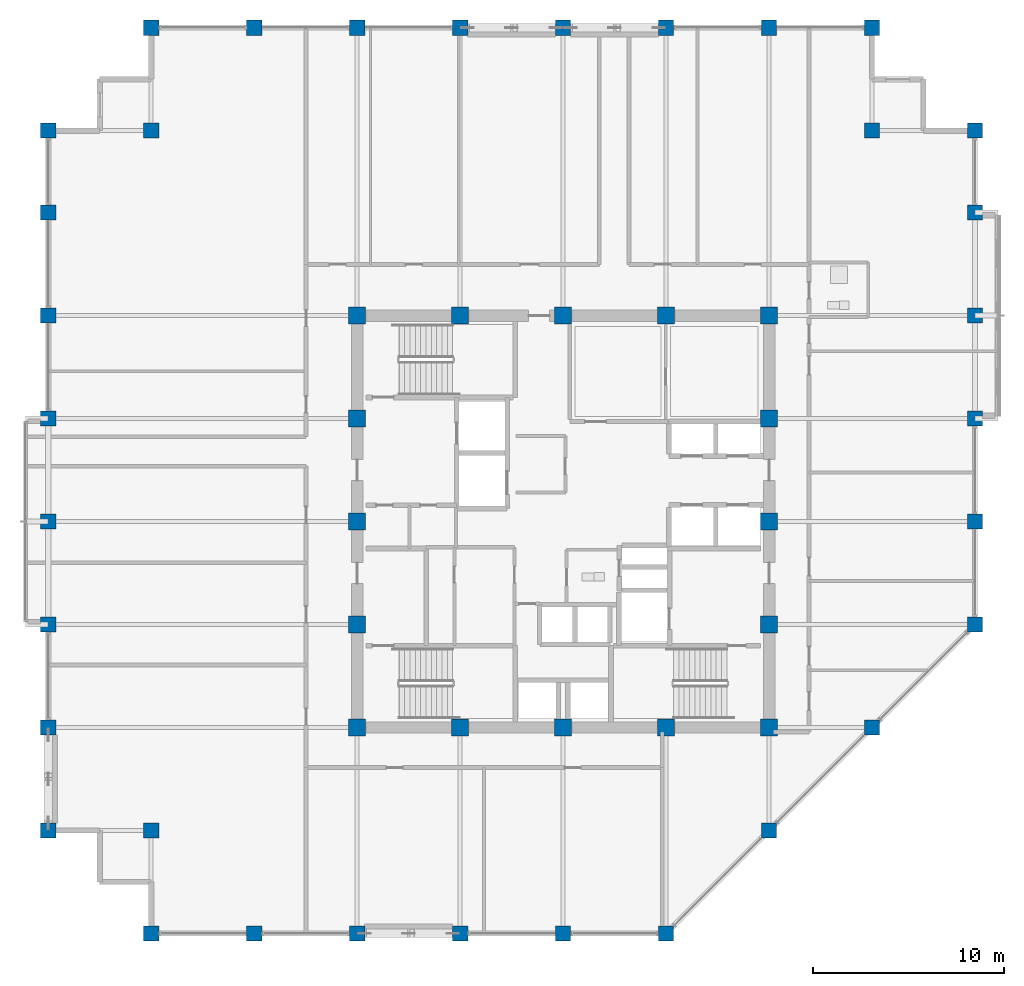
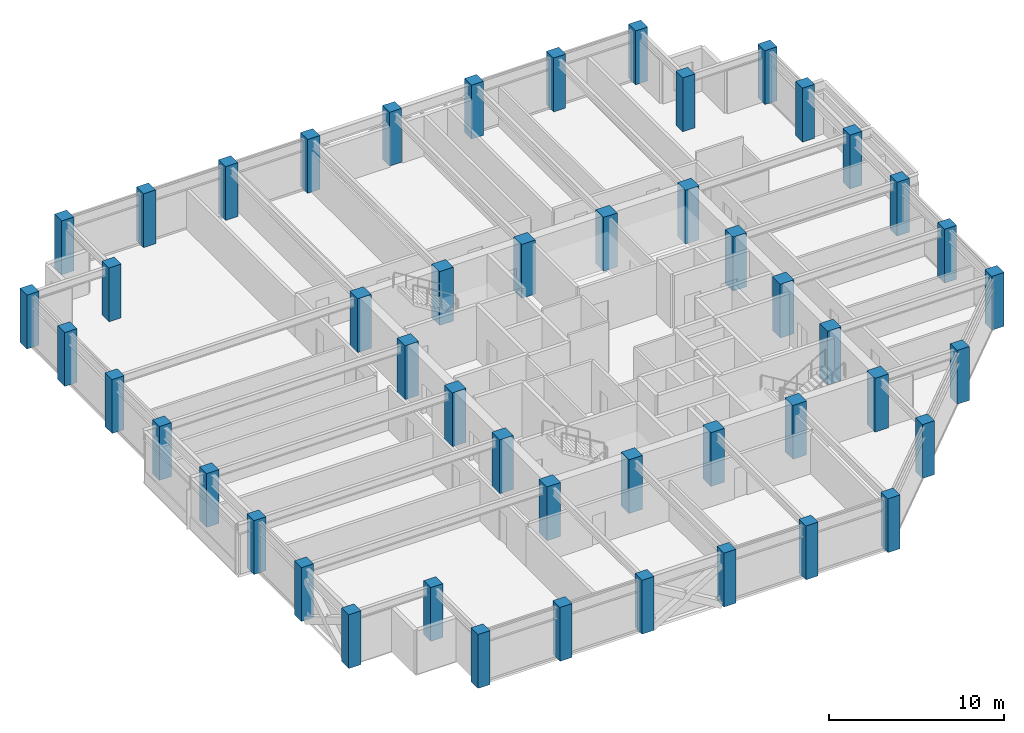
# One storey, part 1 of 32: 49 columns.
"""IFC4 building model written with IfcOpenShell, lengths in metres."""

from ifc_helpers import new_model, si_unit, direction, frame, origin, origin_2d, place, context, subcontext, project, spatial, rectangle, extrude, material, material_profile, profile_set, type_object, element, save


model = new_model("IFC4")

# Units and contexts
model_context = context("Model", 3, precision=1e-05, world=origin(), true_north=direction((0.0, 1.0)))
body_context = subcontext(model_context, "Body", "Model", "MODEL_VIEW")
ifc_project = project(units=[si_unit("LENGTHUNIT", "METRE"), si_unit("AREAUNIT", "SQUARE_METRE"), si_unit("VOLUMEUNIT", "CUBIC_METRE"), si_unit("PLANEANGLEUNIT", "RADIAN"), si_unit("MASSUNIT", "GRAM", prefix="KILO")], contexts=[model_context])

# Site, building, storey
site_placement = place(None, origin())
site = spatial("IfcSite", under=ifc_project, at=site_placement, CompositionType="ELEMENT")
building_placement = place(site_placement, origin())
building = spatial("IfcBuilding", under=site, at=building_placement, Name="Surkhivell Harbour Commons", CompositionType="ELEMENT")
storey_placement = place(building_placement, frame((0.0, 0.0, 234.75)))
storey = spatial("IfcBuildingStorey", under=building, at=storey_placement, Name="L61", CompositionType="ELEMENT", Elevation=234.75)

# Columns
ifc_material_1 = material(Name="Concrete C60/75", Category="concrete")
ifc_material_profile_1 = material_profile(ifc_material_1, rectangle(XDim=0.89990234375, YDim=0.89990234375, at=origin_2d()), Name="RC-COL-900x900")
ifc_profile_set_1 = profile_set([ifc_material_profile_1], Name="Concrete C60/75")
column_type_1 = type_object("IfcColumnType", Name="COL-TUBE-Z3A", PredefinedType="COLUMN", material=ifc_profile_set_1)
for number, where, z_axis, x_axis, name in (
    (1, (-10.800048828125, -10.800048828125, 0.0), (0.0, 0.0, 1.0), (1.0, 0.0, 0.0), "L61 Column CT-3A (-10.8,-10.8)"),
    (2, (-10.800048828125, -5.39990234375, 0.0), (0.0, 0.0, 1.0), (1.0, 0.0, 0.0), "L61 Column CT-3A (-10.8,-5.4)"),
    (3, (-10.800048828125, 0.0, 0.0), (0.0, 0.0, 1.0), (1.0, 0.0, 0.0), "L61 Column CT-3A (-10.8,0.0)"),
    (4, (-10.800048828125, 5.39990234375, 0.0), (0.0, 0.0, 1.0), (1.0, 0.0, 0.0), "L61 Column CT-3A (-10.8,5.4)"),
    (5, (-10.800048828125, 10.800048828125, 0.0), (0.0, 0.0, 1.0), (1.0, 0.0, 0.0), "L61 Column CT-3A (-10.8,10.8)"),
    (6, (-5.39990234375, -10.800048828125, 0.0), (0.0, 0.0, 1.0), (1.0, 0.0, 0.0), "L61 Column CT-3A (-5.4,-10.8)"),
    (7, (-5.39990234375, 10.800048828125, 0.0), (0.0, 0.0, 1.0), (1.0, 0.0, 0.0), "L61 Column CT-3A (-5.4,10.8)"),
    (8, (0.0, -10.800048828125, 0.0), (0.0, 0.0, 1.0), (1.0, 0.0, 0.0), "L61 Column CT-3A (0.0,-10.8)"),
    (9, (0.0, 10.800048828125, 0.0), (0.0, 0.0, 1.0), (1.0, 0.0, 0.0), "L61 Column CT-3A (0.0,10.8)"),
    (10, (5.39990234375, -10.800048828125, 0.0), (0.0, 0.0, 1.0), (1.0, 0.0, 0.0), "L61 Column CT-3A (5.4,-10.8)"),
    (11, (5.39990234375, 10.800048828125, 0.0), (0.0, 0.0, 1.0), (1.0, 0.0, 0.0), "L61 Column CT-3A (5.4,10.8)"),
    (12, (10.800048828125, -10.800048828125, 0.0), (0.0, 0.0, 1.0), (1.0, 0.0, 0.0), "L61 Column CT-3A (10.8,-10.8)"),
    (13, (10.800048828125, -5.39990234375, 0.0), (0.0, 0.0, 1.0), (1.0, 0.0, 0.0), "L61 Column CT-3A (10.8,-5.4)"),
    (14, (10.800048828125, 0.0, 0.0), (0.0, 0.0, 1.0), (1.0, 0.0, 0.0), "L61 Column CT-3A (10.8,0.0)"),
    (15, (10.800048828125, 5.39990234375, 0.0), (0.0, 0.0, 1.0), (1.0, 0.0, 0.0), "L61 Column CT-3A (10.8,5.4)"),
    (16, (10.800048828125, 10.800048828125, 0.0), (0.0, 0.0, 1.0), (1.0, 0.0, 0.0), "L61 Column CT-3A (10.8,10.8)"),
):
    element("IfcColumn", number, at=place(storey_placement, frame(where, z_axis=z_axis, x_axis=x_axis)), inside=storey, type_object=column_type_1, Name=name, PredefinedType="COLUMN", context=body_context, shape_type="SweptSolid", body=[
        extrude(rectangle(XDim=0.89990234375, YDim=0.89990234375, at=origin_2d()), origin(), (0.0, 0.0, 1.0), 3.75),
    ])
ifc_material_2 = material(Name="Concrete C50/60", Category="concrete")
ifc_material_profile_2 = material_profile(ifc_material_2, rectangle(XDim=0.800048828125, YDim=0.800048828125, at=origin_2d()), Name="RC-COL-800x800")
ifc_profile_set_2 = profile_set([ifc_material_profile_2], Name="Concrete C50/60")
column_type_2 = type_object("IfcColumnType", Name="COL-TUBE-Z3B", PredefinedType="COLUMN", material=ifc_profile_set_2)
for number, where, z_axis, x_axis, name in (
    (17, (-27.0, -16.199951171875, 0.0), (0.0, 0.0, 1.0), (1.0, 0.0, 0.0), "L61 Column CT-3B (-27.0,-16.2)"),
    (18, (-27.0, -10.800048828125, 0.0), (0.0, 0.0, 1.0), (1.0, 0.0, 0.0), "L61 Column CT-3B (-27.0,-10.8)"),
    (19, (-27.0, -5.39990234375, 0.0), (0.0, 0.0, 1.0), (1.0, 0.0, 0.0), "L61 Column CT-3B (-27.0,-5.4)"),
    (20, (-27.0, 0.0, 0.0), (0.0, 0.0, 1.0), (1.0, 0.0, 0.0), "L61 Column CT-3B (-27.0,0.0)"),
    (21, (-27.0, 5.39990234375, 0.0), (0.0, 0.0, 1.0), (1.0, 0.0, 0.0), "L61 Column CT-3B (-27.0,5.4)"),
    (22, (-27.0, 10.800048828125, 0.0), (0.0, 0.0, 1.0), (1.0, 0.0, 0.0), "L61 Column CT-3B (-27.0,10.8)"),
    (23, (-27.0, 16.199951171875, 0.0), (0.0, 0.0, 1.0), (1.0, 0.0, 0.0), "L61 Column CT-3B (-27.0,16.2)"),
    (24, (-27.0, 20.5, 0.0), (0.0, 0.0, 1.0), (1.0, 0.0, 0.0), "L61 Column CT-3B (-27.0,20.5)"),
    (25, (-21.60009765625, -21.60009765625, 0.0), (0.0, 0.0, 1.0), (1.0, 0.0, 0.0), "L61 Column CT-3B (-21.6,-21.6)"),
    (26, (-21.60009765625, -16.199951171875, 0.0), (0.0, 0.0, 1.0), (1.0, 0.0, 0.0), "L61 Column CT-3B (-21.6,-16.2)"),
    (27, (-21.60009765625, 20.5, 0.0), (0.0, 0.0, 1.0), (1.0, 0.0, 0.0), "L61 Column CT-3B (-21.6,20.5)"),
    (28, (-21.60009765625, 25.89990234375, 0.0), (0.0, 0.0, 1.0), (1.0, 0.0, 0.0), "L61 Column CT-3B (-21.6,25.9)"),
    (29, (-16.199951171875, -21.60009765625, 0.0), (0.0, 0.0, 1.0), (1.0, 0.0, 0.0), "L61 Column CT-3B (-16.2,-21.6)"),
    (30, (-16.199951171875, 25.89990234375, 0.0), (0.0, 0.0, 1.0), (1.0, 0.0, 0.0), "L61 Column CT-3B (-16.2,25.9)"),
    (31, (-10.800048828125, -21.60009765625, 0.0), (0.0, 0.0, 1.0), (1.0, 0.0, 0.0), "L61 Column CT-3B (-10.8,-21.6)"),
    (32, (-10.800048828125, 25.89990234375, 0.0), (0.0, 0.0, 1.0), (1.0, 0.0, 0.0), "L61 Column CT-3B (-10.8,25.9)"),
    (33, (-5.39990234375, -21.60009765625, 0.0), (0.0, 0.0, 1.0), (1.0, 0.0, 0.0), "L61 Column CT-3B (-5.4,-21.6)"),
    (34, (-5.39990234375, 25.89990234375, 0.0), (0.0, 0.0, 1.0), (1.0, 0.0, 0.0), "L61 Column CT-3B (-5.4,25.9)"),
    (35, (0.0, -21.60009765625, 0.0), (0.0, 0.0, 1.0), (1.0, 0.0, 0.0), "L61 Column CT-3B (-0.0,-21.6)"),
    (36, (0.0, 25.89990234375, 0.0), (0.0, 0.0, 1.0), (1.0, 0.0, 0.0), "L61 Column CT-3B (-0.0,25.9)"),
    (37, (5.39990234375, -21.60009765625, 0.0), (0.0, 0.0, 1.0), (1.0, 0.0, 0.0), "L61 Column CT-3B (5.4,-21.6)"),
    (38, (5.39990234375, 25.89990234375, 0.0), (0.0, 0.0, 1.0), (1.0, 0.0, 0.0), "L61 Column CT-3B (5.4,25.9)"),
    (39, (10.800048828125, -16.199951171875, 0.0), (0.0, 0.0, 1.0), (1.0, 0.0, 0.0), "L61 Column CT-3B (10.8,-16.2)"),
    (40, (10.800048828125, 25.89990234375, 0.0), (0.0, 0.0, 1.0), (1.0, 0.0, 0.0), "L61 Column CT-3B (10.8,25.9)"),
    (41, (16.199951171875, -10.800048828125, 0.0), (0.0, 0.0, 1.0), (1.0, 0.0, 0.0), "L61 Column CT-3B (16.2,-10.8)"),
    (42, (16.199951171875, 20.5, 0.0), (0.0, 0.0, 1.0), (1.0, 0.0, 0.0), "L61 Column CT-3B (16.2,20.5)"),
    (43, (16.199951171875, 25.89990234375, 0.0), (0.0, 0.0, 1.0), (1.0, 0.0, 0.0), "L61 Column CT-3B (16.2,25.9)"),
    (44, (21.60009765625, -5.39990234375, 0.0), (0.0, 0.0, 1.0), (1.0, 0.0, 0.0), "L61 Column CT-3B (21.6,-5.4)"),
    (45, (21.60009765625, 0.0, 0.0), (0.0, 0.0, 1.0), (1.0, 0.0, 0.0), "L61 Column CT-3B (21.6,0.0)"),
    (46, (21.60009765625, 5.39990234375, 0.0), (0.0, 0.0, 1.0), (1.0, 0.0, 0.0), "L61 Column CT-3B (21.6,5.4)"),
    (47, (21.60009765625, 10.800048828125, 0.0), (0.0, 0.0, 1.0), (1.0, 0.0, 0.0), "L61 Column CT-3B (21.6,10.8)"),
    (48, (21.60009765625, 16.199951171875, 0.0), (0.0, 0.0, 1.0), (1.0, 0.0, 0.0), "L61 Column CT-3B (21.6,16.2)"),
    (49, (21.60009765625, 20.5, 0.0), (0.0, 0.0, 1.0), (1.0, 0.0, 0.0), "L61 Column CT-3B (21.6,20.5)"),
):
    element("IfcColumn", number, at=place(storey_placement, frame(where, z_axis=z_axis, x_axis=x_axis)), inside=storey, type_object=column_type_2, Name=name, PredefinedType="COLUMN", context=body_context, shape_type="SweptSolid", body=[
        extrude(rectangle(XDim=0.800048828125, YDim=0.800048828125, at=origin_2d()), origin(), (0.0, 0.0, 1.0), 3.75),
    ])

save(model, "model.ifc")
